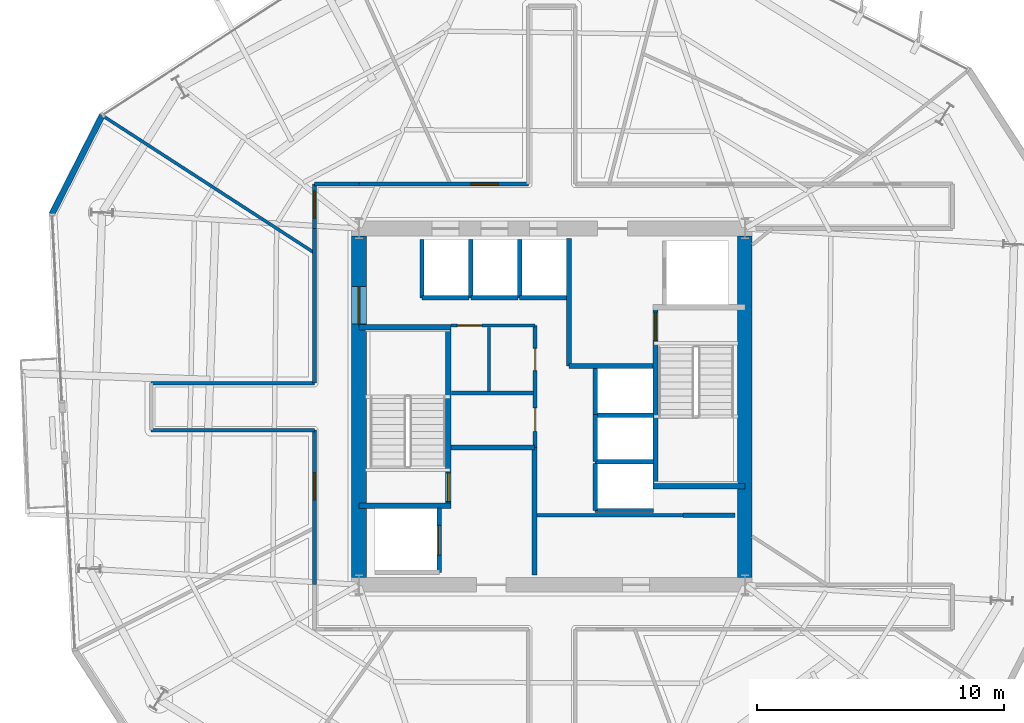
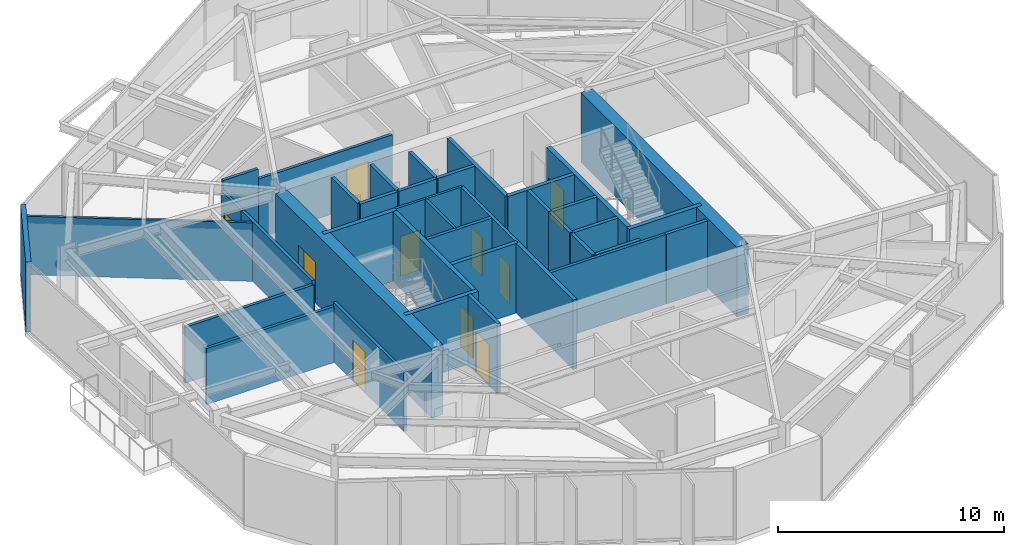
# One storey, part 7 of 12: 39 walls, 10 doors, 10 openings.
"""IFC4 building model written with IfcOpenShell, lengths in metres."""

import ifcopenshell
import ifcopenshell.guid

model = None  # the IFC model being written
_history = None  # IfcOwnerHistory: only IFC2X3 demands one
_inside = {}  # id of a spatial element -> (the spatial element, [elements in it])
_under = {}  # id of a project, library or spatial element -> (it, [spatial elements below it])
_declared = {}  # id of a project -> (the project, [libraries it declares])
_typed = {}  # id of a type object -> (the type object, [elements of that type])
_made_of = {}  # id of a material, layer set ... -> (it, [elements and type objects made of it])


def new_model(schema):
    """Start an empty IFC model of exactly this schema.

    Asked for "IFC4X3", IfcOpenShell would pick the latest addendum, in which some entities
    have other attributes; the version numbers below select the first issue.
    IFC2X3 requires an IfcOwnerHistory on every rooted entity: one is made here for all.
    """
    global model, _history
    if schema == "IFC4X3":
        model = ifcopenshell.file(schema_version=(4, 3, 0, 0))
    else:
        model = ifcopenshell.file(schema=schema)
    _inside.clear()
    _under.clear()
    _declared.clear()
    _typed.clear()
    _made_of.clear()
    _history = None
    if model.schema == "IFC2X3":
        org = make("IfcOrganization", Name="unknown")
        user = make(
            "IfcPersonAndOrganization",
            ThePerson=make("IfcPerson", FamilyName="unknown"),
            TheOrganization=org,
        )
        app = make(
            "IfcApplication",
            ApplicationDeveloper=org,
            Version="unknown",
            ApplicationFullName="unknown",
            ApplicationIdentifier="unknown",
        )
        _history = make(
            "IfcOwnerHistory",
            OwningUser=user,
            OwningApplication=app,
            ChangeAction="ADDED",
            CreationDate=0,
        )
    return model


def make(cls, **values):
    """One entity of the class cls with the attributes given. An attribute that is None is left unset."""
    return model.create_entity(
        cls, **{name: value for name, value in values.items() if value is not None}
    )


def rooted(cls, **values):
    """An entity with a GlobalId (a new one), such as an element, a storey or a relation."""
    return make(cls, GlobalId=ifcopenshell.guid.new(), OwnerHistory=_history, **values)


def si_unit(unit_type, name, prefix=None):
    """IfcSIUnit, for example si_unit("LENGTHUNIT", "METRE", prefix="MILLI")."""
    return make("IfcSIUnit", UnitType=unit_type, Prefix=prefix, Name=name)


def assignment(units):
    """IfcUnitAssignment: the units of a project."""
    return None if units is None else make("IfcUnitAssignment", Units=units)


def point(xyz):
    """IfcCartesianPoint."""
    return None if xyz is None else make("IfcCartesianPoint", Coordinates=xyz)


def direction(xyz):
    """IfcDirection."""
    return None if xyz is None else make("IfcDirection", DirectionRatios=xyz)


def frame(location, z_axis=None, x_axis=None):
    """IfcAxis2Placement3D, a coordinate frame: its origin and axes. An axis left out is left unset."""
    return make(
        "IfcAxis2Placement3D",
        Location=point(location),
        Axis=direction(z_axis),
        RefDirection=direction(x_axis),
    )


def frame_2d(location, x_axis=None):
    """IfcAxis2Placement2D, a coordinate frame in the plane: its origin and x axis."""
    return make(
        "IfcAxis2Placement2D", Location=point(location), RefDirection=direction(x_axis)
    )


def origin():
    """The frame at (0, 0, 0) with its axes left unset."""
    return frame((0.0, 0.0, 0.0))


def place(relative_to, where):
    """IfcLocalPlacement: puts the frame where relative to a parent placement (None: the world)."""
    return make(
        "IfcLocalPlacement", PlacementRelTo=relative_to, RelativePlacement=where
    )


def context(
    kind, dimensions, precision=None, world=None, true_north=None, identifier=None
):
    """IfcGeometricRepresentationContext, for example the 3D "Model" context."""
    return make(
        "IfcGeometricRepresentationContext",
        ContextIdentifier=identifier,
        ContextType=kind,
        CoordinateSpaceDimension=dimensions,
        Precision=precision,
        WorldCoordinateSystem=world,
        TrueNorth=true_north,
    )


def subcontext(parent, identifier, kind, view, scale=None):
    """IfcGeometricRepresentationSubContext, for example "Body" below "Model"."""
    return make(
        "IfcGeometricRepresentationSubContext",
        ContextIdentifier=identifier,
        ContextType=kind,
        ParentContext=parent,
        TargetScale=scale,
        TargetView=view,
    )


def project(units=None, contexts=None):
    """IfcProject with its units and contexts."""
    return rooted(
        "IfcProject",
        Name="project",
        RepresentationContexts=contexts,
        UnitsInContext=assignment(units),
    )


def spatial(cls, under=None, at=None, **own):
    """A site, building, storey or space (cls), placed at a placement, below another one or the project."""
    s = rooted(cls, ObjectPlacement=at, **own)
    if under is not None:
        _under.setdefault(under.id(), (under, []))[1].append(s)
    return s


def profile(cls, at=None, kind="AREA", **sizes):
    """A parametric profile (cls). Its sizes go by their IFC names, for example OverallWidth=200.0."""
    return make(cls, ProfileType=kind, Position=at, **sizes)


def rectangle(**sizes):
    """IfcRectangleProfileDef."""
    return profile("IfcRectangleProfileDef", **sizes)


def extrude(swept, where, along, depth):
    """IfcExtrudedAreaSolid: the profile swept, set in the frame where, extruded along a direction by depth."""
    return make(
        "IfcExtrudedAreaSolid",
        SweptArea=swept,
        Position=where,
        ExtrudedDirection=direction(along),
        Depth=depth,
    )


def shape(context_of_items, identifier, shape_type, items):
    """IfcShapeRepresentation: the items that make up one representation, for example the "Body"."""
    return make(
        "IfcShapeRepresentation",
        ContextOfItems=context_of_items,
        RepresentationIdentifier=identifier,
        RepresentationType=shape_type,
        Items=items,
    )


def material(Name=None, Category=None):
    """IfcMaterial."""
    return make("IfcMaterial", Name=Name, Category=Category)


def layer(
    of_material, thickness, ventilated=None, Name=None, Category=None, Priority=None
):
    """IfcMaterialLayer: one layer of a wall or slab, of a material (None: an air gap)."""
    return make(
        "IfcMaterialLayer",
        Material=of_material,
        LayerThickness=thickness,
        IsVentilated=ventilated,
        Name=Name,
        Category=Category,
        Priority=Priority,
    )


def layer_set(layers, Name=None):
    """IfcMaterialLayerSet."""
    return make("IfcMaterialLayerSet", MaterialLayers=layers, LayerSetName=Name)


def made_of(thing, what):
    """Note that an element or type object is made of a material, layer set ...; save() writes the relation."""
    if what is not None:
        _made_of.setdefault(what.id(), (what, []))[1].append(thing)
    return thing


def type_object(cls, material=None, **own):
    """A type object (cls), such as IfcWallType, which elements share."""
    return made_of(rooted(cls, **own), material)


def element(
    cls,
    number,
    at=None,
    inside=None,
    cuts=None,
    type_object=None,
    material=None,
    context=None,
    identifier="Body",
    shape_type=None,
    held_by="IfcProductDefinitionShape",
    body=None,
    shapes=None,
    **own,
):
    """One element of the class cls, such as IfcWall. Its Tag is "e" and its number.

    at: its placement. inside: the storey or other place that contains it. cuts: it is an
    opening in that element (IfcRelVoidsElement). A single representation is given by context,
    identifier, shape_type and body (its items); several are given by shapes. held_by: the class
    of the entity that holds the representations. save() writes the other relations.
    """
    e = rooted(cls, Tag="e%d" % number, ObjectPlacement=at, **own)
    if body is not None:
        shapes = [shape(context, identifier, shape_type, body)]
    if shapes is not None:
        e.Representation = make(held_by, Representations=shapes)
    if inside is not None:
        _inside.setdefault(inside.id(), (inside, []))[1].append(e)
    if cuts is not None:
        rooted(
            "IfcRelVoidsElement", RelatingBuildingElement=cuts, RelatedOpeningElement=e
        )
    if type_object is not None:
        _typed.setdefault(type_object.id(), (type_object, []))[1].append(e)
    return made_of(e, material)


def fill(opening, filler):
    """IfcRelFillsElement: the door or window that sits in an opening."""
    return rooted(
        "IfcRelFillsElement",
        RelatingOpeningElement=opening,
        RelatedBuildingElement=filler,
    )


def aggregate(whole, parts):
    """IfcRelAggregates: a whole, such as a stair, and the parts it consists of."""
    return rooted("IfcRelAggregates", RelatingObject=whole, RelatedObjects=parts)


def save(model, path):
    """Write the relations noted so far, then the file.

    IfcRelAggregates (storeys below a building ...), IfcRelContainedInSpatialStructure (elements
    in a storey), IfcRelDefinesByType, IfcRelAssociatesMaterial and IfcRelDeclares: one each for
    every whole, place, type object, material and project.
    """
    for whole, parts in _under.values():
        aggregate(whole, parts)
    for where, things in _inside.values():
        rooted(
            "IfcRelContainedInSpatialStructure",
            RelatedElements=things,
            RelatingStructure=where,
        )
    for kind, things in _typed.values():
        rooted("IfcRelDefinesByType", RelatedObjects=things, RelatingType=kind)
    for what, things in _made_of.values():
        rooted("IfcRelAssociatesMaterial", RelatedObjects=things, RelatingMaterial=what)
    for by, libraries in _declared.values():
        rooted("IfcRelDeclares", RelatingContext=by, RelatedDefinitions=libraries)
    model.write(path)


model = new_model("IFC4")

# Units and contexts
model_context = context("Model", 3, precision=1e-05, world=origin(), true_north=direction((0.0, 1.0)))
body_context = subcontext(model_context, "Body", "Model", "MODEL_VIEW")
ifc_project = project(units=[si_unit("LENGTHUNIT", "METRE"), si_unit("AREAUNIT", "SQUARE_METRE"), si_unit("VOLUMEUNIT", "CUBIC_METRE"), si_unit("PLANEANGLEUNIT", "RADIAN"), si_unit("MASSUNIT", "GRAM", prefix="KILO")], contexts=[model_context])

# Site, building, storey
site_placement = place(None, origin())
site = spatial("IfcSite", under=ifc_project, at=site_placement, CompositionType="ELEMENT")
building_placement = place(site_placement, origin())
building = spatial("IfcBuilding", under=site, at=building_placement, Name="Kranzbogen Civic Tower", CompositionType="ELEMENT")
storey_placement = place(building_placement, frame((0.0, 0.0, 154.39990234375)))
storey = spatial("IfcBuildingStorey", under=building, at=storey_placement, Name="L37", CompositionType="ELEMENT", Elevation=154.39990234375)

# Wall
ifc_material_1 = material(Name="Double-Stud Acoustic Gypsum Partition")
ifc_layer_1 = layer(ifc_material_1, 0.14990234375, Name="Double-Stud Acoustic Gypsum Partition")
ifc_layer_set_1 = layer_set([ifc_layer_1], Name="Double-Stud Acoustic Gypsum Partition")
wall_type_1 = type_object("IfcWallType", Name="Acoustic Corridor and Clinical Partition 150 mm", PredefinedType="PARTITIONING", material=ifc_layer_set_1)
wall_1_placement = place(storey_placement, frame((24.39990234375, 20.610107421875, 0.0), z_axis=(0.0, 0.0, 1.0), x_axis=(1.0, 0.0, 0.0)))
element("IfcWall", 1, at=wall_1_placement, inside=storey, type_object=wall_type_1, Name="L37 records zone North wall", PredefinedType="PARTITIONING", context=body_context, shape_type="SweptSolid", body=[
    extrude(rectangle(XDim=5.900146484375, YDim=0.14990234375, at=frame_2d((2.9501953125, 0.0))), origin(), (0.0, 0.0, 1.0), 3.760009765625),
])

# Wall, opening, door
wall_2_placement = place(storey_placement, frame((15.39990234375, 17.800048828125, 0.0), z_axis=(0.0, 0.0, 1.0), x_axis=(0.0, 1.0, 0.0)))
wall_2 = element("IfcWall", 2, at=wall_2_placement, inside=storey, type_object=wall_type_1, Name="L37 corridor partition 03", PredefinedType="PARTITIONING", context=body_context, shape_type="SweptSolid", body=[
    extrude(rectangle(XDim=6.25, YDim=0.14990234375, at=frame_2d((3.125, 0.0))), origin(), (0.0, 0.0, 1.0), 3.210205078125),
])
opening_1_placement = place(wall_2_placement, frame((3.43408203125, 0.0, 0.0)))
opening_1 = element("IfcOpeningElement", 3, at=opening_1_placement, cuts=wall_2, Name="Opening D-COR60", PredefinedType="OPENING", context=body_context, shape_type="SweptSolid", body=[
    extrude(rectangle(XDim=1.10009765625, YDim=2.199951171875, at=frame_2d((0.550048828125, 1.10009765625))), frame((0.0, 0.0849609375, 0.0), z_axis=(0.0, -1.0, 0.0), x_axis=(1.0, 0.0, 0.0)), (0.0, 0.0, 1.0), 0.169921875),
])
ifc_material_2 = material(Name="Oak Timber and Fire Core", Category="wood")
door_type_1 = type_object("IfcDoorType", Name="Corridor Acoustic Fire Door 1100x2200", OperationType="NOTDEFINED", PredefinedType="DOOR", material=ifc_material_2)
door_1_placement = place(opening_1_placement, origin())
door_1 = element("IfcDoor", 4, at=door_1_placement, inside=storey, type_object=door_type_1, Name="L37 Staff Tea Pantry door", OperationType="SINGLE_SWING_RIGHT", OverallHeight=2.199951171875, OverallWidth=1.10009765625, PredefinedType="DOOR", context=body_context, shape_type="SweptSolid", body=[
    extrude(rectangle(XDim=1.10009765625, YDim=2.199951171875, at=frame_2d((0.550048828125, 1.10009765625))), frame((0.0, 0.02490234375, 0.0), z_axis=(0.0, -1.0, 0.0), x_axis=(1.0, 0.0, 0.0)), (0.0, 0.0, 1.0), 0.050048828125),
])
fill(opening_1, door_1)

# Walls
for number, where, z_axis, x_axis, name in (
    (5, (15.39990234375, 24.050048828125, 0.0), (0.0, 0.0, 1.0), (-1.0, 0.0, 0.0), "L37 corridor partition 04"),
    (6, (8.800048828125, 25.949951171875, 0.0), (0.0, 0.0, 1.0), (1.0, 0.0, 0.0), "L37 corridor partition 06"),
):
    element("IfcWall", number, at=place(storey_placement, frame(where, z_axis=z_axis, x_axis=x_axis)), inside=storey, type_object=wall_type_1, Name=name, PredefinedType="PARTITIONING", context=body_context, shape_type="SweptSolid", body=[
        extrude(rectangle(XDim=6.599853515625, YDim=0.14990234375, at=frame_2d((3.2998046875, 0.0))), origin(), (0.0, 0.0, 1.0), 3.02001953125),
    ])
wall_3_placement = place(storey_placement, frame((15.39990234375, 25.949951171875, 0.0), z_axis=(0.0, 0.0, 1.0), x_axis=(0.0, 1.0, 0.0)))
element("IfcWall", 7, at=wall_3_placement, inside=storey, type_object=wall_type_1, Name="L37 corridor partition 07", PredefinedType="PARTITIONING", context=body_context, shape_type="SweptSolid", body=[
    extrude(rectangle(XDim=6.25, YDim=0.14990234375, at=frame_2d((3.125, 0.0))), origin(), (0.0, 0.0, 1.0), 3.210205078125),
])

# Wall, opening, door
wall_4_placement = place(storey_placement, frame((15.39990234375, 32.199951171875, 0.0), z_axis=(0.0, 0.0, 1.0), x_axis=(0.0, 1.0, 0.0)))
wall_4 = element("IfcWall", 8, at=wall_4_placement, inside=storey, type_object=wall_type_1, Name="L37 corridor partition 08", PredefinedType="PARTITIONING", context=body_context, shape_type="SweptSolid", body=[
    extrude(rectangle(XDim=1.800048828125, YDim=0.14990234375, at=frame_2d((0.89990234375, 0.0))), origin(), (0.0, 0.0, 1.0), 3.210205078125),
])
opening_2_placement = place(wall_4_placement, frame((0.4130859375, 0.0, 0.0)))
opening_2 = element("IfcOpeningElement", 9, at=opening_2_placement, cuts=wall_4, Name="Opening D-COR60", PredefinedType="OPENING", context=body_context, shape_type="SweptSolid", body=[
    extrude(rectangle(XDim=1.10009765625, YDim=2.199951171875, at=frame_2d((0.550048828125, 1.10009765625))), frame((0.0, 0.0849609375, 0.0), z_axis=(0.0, -1.0, 0.0), x_axis=(1.0, 0.0, 0.0)), (0.0, 0.0, 1.0), 0.169921875),
])
door_2_placement = place(opening_2_placement, origin())
door_2 = element("IfcDoor", 10, at=door_2_placement, inside=storey, type_object=door_type_1, Name="L37 Delegates Sitting Lounge door", OperationType="SINGLE_SWING_LEFT", OverallHeight=2.199951171875, OverallWidth=1.10009765625, PredefinedType="DOOR", context=body_context, shape_type="SweptSolid", body=[
    extrude(rectangle(XDim=1.10009765625, YDim=2.199951171875, at=frame_2d((0.550048828125, 1.10009765625))), frame((0.0, 0.02490234375, 0.0), z_axis=(0.0, -1.0, 0.0), x_axis=(1.0, 0.0, 0.0)), (0.0, 0.0, 1.0), 0.050048828125),
])
fill(opening_2, door_2)

# Wall
wall_5_placement = place(storey_placement, frame((15.39990234375, 34.0, 0.0), z_axis=(0.0, 0.0, 1.0), x_axis=(1.0, 0.0, 0.0)))
element("IfcWall", 11, at=wall_5_placement, inside=storey, type_object=wall_type_1, Name="L37 corridor partition 09", PredefinedType="PARTITIONING", context=body_context, shape_type="SweptSolid", body=[
    extrude(rectangle(XDim=1.800048828125, YDim=0.14990234375, at=frame_2d((0.89990234375, 0.0))), origin(), (0.0, 0.0, 1.0), 3.760009765625),
])

# Wall, opening, door
wall_6_placement = place(storey_placement, frame((17.199951171875, 34.0, 0.0), z_axis=(0.0, 0.0, 1.0), x_axis=(1.0, 0.0, 0.0)))
wall_6 = element("IfcWall", 12, at=wall_6_placement, inside=storey, type_object=wall_type_1, Name="L37 corridor partition 10", PredefinedType="PARTITIONING", context=body_context, shape_type="SweptSolid", body=[
    extrude(rectangle(XDim=6.85009765625, YDim=0.14990234375, at=frame_2d((3.425048828125, 0.0))), origin(), (0.0, 0.0, 1.0), 3.210205078125),
])
opening_3_placement = place(wall_6_placement, frame((4.52490234375, 0.0, 0.0)))
opening_3 = element("IfcOpeningElement", 13, at=opening_3_placement, cuts=wall_6, Name="Opening D-COR60", PredefinedType="OPENING", context=body_context, shape_type="SweptSolid", body=[
    extrude(rectangle(XDim=1.10009765625, YDim=2.199951171875, at=frame_2d((0.550048828125, 1.10009765625))), frame((0.0, 0.0849609375, 0.0), z_axis=(0.0, -1.0, 0.0), x_axis=(1.0, 0.0, 0.0)), (0.0, 0.0, 1.0), 0.169921875),
])
door_3_placement = place(opening_3_placement, origin())
door_3 = element("IfcDoor", 14, at=door_3_placement, inside=storey, type_object=door_type_1, Name="L37 Civic Reference Library door", OperationType="SINGLE_SWING_RIGHT", OverallHeight=2.199951171875, OverallWidth=1.10009765625, PredefinedType="DOOR", context=body_context, shape_type="SweptSolid", body=[
    extrude(rectangle(XDim=1.10009765625, YDim=2.199951171875, at=frame_2d((0.550048828125, 1.10009765625))), frame((0.0, 0.02490234375, 0.0), z_axis=(0.0, -1.0, 0.0), x_axis=(1.0, 0.0, 0.0)), (0.0, 0.0, 1.0), 0.050048828125),
])
fill(opening_3, door_3)

ifc_material_3 = material(Name="Insulated Metal-Stud Gypsum Partition")
ifc_layer_2 = layer(ifc_material_3, 0.125, Name="Insulated Metal-Stud Gypsum Partition")
ifc_layer_set_2 = layer_set([ifc_layer_2], Name="Insulated Metal-Stud Gypsum Partition")
wall_type_2 = type_object("IfcWallType", Name="Acoustic Inter-Room Partition 125 mm", PredefinedType="PARTITIONING", material=ifc_layer_set_2)
wall_7_placement = place(storey_placement, frame((20.919921875, 28.280029296875, 0.0), z_axis=(0.0, 0.0, 1.0), x_axis=(1.0, 0.0, 0.0)))
wall_7 = element("IfcWall", 15, at=wall_7_placement, inside=storey, type_object=wall_type_2, Name="L37 core auxiliary North wall", PredefinedType="PARTITIONING", context=body_context, shape_type="SweptSolid", body=[
    extrude(rectangle(XDim=3.405029296875, YDim=0.125, at=frame_2d((1.70263671875, 0.0))), origin(), (0.0, 0.0, 1.0), 3.760009765625),
])
opening_4_placement = place(wall_7_placement, frame((0.2548828125, 0.0, 0.0)))
opening_4 = element("IfcOpeningElement", 16, at=opening_4_placement, cuts=wall_7, Name="Opening D-RSR10", PredefinedType="OPENING", context=body_context, shape_type="SweptSolid", body=[
    extrude(rectangle(XDim=1.0, YDim=2.14990234375, at=frame_2d((0.5, 1.074951171875))), frame((0.0, 0.072509765625, 0.0), z_axis=(0.0, -1.0, 0.0), x_axis=(1.0, 0.0, 0.0)), (0.0, 0.0, 1.0), 0.14501953125),
])
door_type_2 = type_object("IfcDoorType", Name="Core Archive and Riser Fire Door 1000x2150", OperationType="NOTDEFINED", PredefinedType="DOOR", material=ifc_material_2)
door_4_placement = place(opening_4_placement, origin())
door_4 = element("IfcDoor", 17, at=door_4_placement, inside=storey, type_object=door_type_2, Name="L37 Telecom and Riser Room door", OperationType="SINGLE_SWING_LEFT", OverallHeight=2.14990234375, OverallWidth=1.0, PredefinedType="DOOR", context=body_context, shape_type="SweptSolid", body=[
    extrude(rectangle(XDim=1.0, YDim=2.14990234375, at=frame_2d((0.5, 1.074951171875))), frame((0.0, 0.02490234375, 0.0), z_axis=(0.0, -1.0, 0.0), x_axis=(1.0, 0.0, 0.0)), (0.0, 0.0, 1.0), 0.050048828125),
])
fill(opening_4, door_4)

# Walls
wall_8_placement = place(storey_placement, frame((22.4599609375, 25.6201171875, 0.0), z_axis=(0.0, 0.0, 1.0), x_axis=(0.0, 1.0, 0.0)))
element("IfcWall", 18, at=wall_8_placement, inside=storey, type_object=wall_type_2, Name="L37 core auxiliary partition 2", PredefinedType="PARTITIONING", context=body_context, shape_type="SweptSolid", body=[
    extrude(rectangle(XDim=2.579833984375, YDim=0.125, at=frame_2d((1.2900390625, 0.0))), origin(), (0.0, 0.0, 1.0), 3.760009765625),
])
wall_9_placement = place(storey_placement, frame((15.39990234375, 31.217041015625, 0.0), z_axis=(0.0, 0.0, 1.0), x_axis=(-0.839399301713, 0.543515236478, 0.0)))
element("IfcWall", 19, at=wall_9_placement, inside=storey, type_object=wall_type_2, Name="L37 radial room partition 05", PredefinedType="PARTITIONING", context=body_context, shape_type="SweptSolid", body=[
    extrude(rectangle(XDim=10.2001953125, YDim=0.125, at=frame_2d((5.10009765625, 0.0))), origin(), (0.0, 0.0, 1.0), 3.16015625),
])

# Wall, opening, door
ifc_material_4 = material(Name="Concrete C55/67", Category="concrete")
ifc_layer_3 = layer(ifc_material_4, 0.60009765625, Name="Concrete C55/67")
ifc_layer_set_3 = layer_set([ifc_layer_3], Name="Concrete C55/67")
wall_type_3 = type_object("IfcWallType", Name="Central Core Shear Wall 600 mm", PredefinedType="SHEAR", material=ifc_layer_set_3)
wall_10_placement = place(storey_placement, frame((17.199951171875, 31.89990234375, 0.0), z_axis=(0.0, 0.0, 1.0), x_axis=(0.0, -1.0, 0.0)))
wall_10 = element("IfcWall", 20, at=wall_10_placement, inside=storey, type_object=wall_type_3, Name="L37 central core West shear wall", PredefinedType="SHEAR", context=body_context, shape_type="SweptSolid", body=[
    extrude(rectangle(XDim=13.7998046875, YDim=0.60009765625, at=frame_2d((6.89990234375, 0.0))), origin(), (0.0, 0.0, 1.0), 3.760009765625),
])
opening_5_placement = place(wall_10_placement, frame((2.050048828125, 0.0, 0.0)))
opening_5 = element("IfcOpeningElement", 21, at=opening_5_placement, cuts=wall_10, Name="Opening D-DBL15", PredefinedType="OPENING", context=body_context, shape_type="SweptSolid", body=[
    extrude(rectangle(XDim=1.5, YDim=2.199951171875, at=frame_2d((0.75, 1.10009765625))), frame((0.0, 0.31005859375, 0.0), z_axis=(0.0, -1.0, 0.0), x_axis=(1.0, 0.0, 0.0)), (0.0, 0.0, 1.0), 0.6201171875),
])
ifc_material_5 = material(Name="Anodised Bronze and Glass", Category="glass")
door_type_3 = type_object("IfcDoorType", Name="Civic Lobby Double Door 1500x2200", OperationType="DOUBLE_DOOR_SINGLE_SWING", PredefinedType="DOOR", material=ifc_material_5)
door_5_placement = place(opening_5_placement, origin())
door_5 = element("IfcDoor", 22, at=door_5_placement, inside=storey, type_object=door_type_3, Name="L37 Central Lift Lobby West concourse door", OperationType="DOUBLE_DOOR_SINGLE_SWING", OverallHeight=2.199951171875, OverallWidth=1.5, PredefinedType="DOOR", context=body_context, shape_type="SweptSolid", body=[
    extrude(rectangle(XDim=1.5, YDim=2.199951171875, at=frame_2d((0.75, 1.10009765625))), frame((0.0, 0.02490234375, 0.0), z_axis=(0.0, -1.0, 0.0), x_axis=(1.0, 0.0, 0.0)), (0.0, 0.0, 1.0), 0.050048828125),
])
fill(opening_5, door_5)

# Wall
wall_11_placement = place(storey_placement, frame((32.800048828125, 18.10009765625, 0.0), z_axis=(0.0, 0.0, 1.0), x_axis=(0.0, 1.0, 0.0)))
element("IfcWall", 23, at=wall_11_placement, inside=storey, type_object=wall_type_3, Name="L37 central core East shear wall", PredefinedType="SHEAR", context=body_context, shape_type="SweptSolid", body=[
    extrude(rectangle(XDim=13.7998046875, YDim=0.60009765625, at=frame_2d((6.89990234375, 0.0))), origin(), (0.0, 0.0, 1.0), 3.760009765625),
])

# Wall, opening, door
ifc_material_6 = material(Name="Concrete C45/55", Category="concrete")
ifc_layer_4 = layer(ifc_material_6, 0.219970703125, Name="Concrete C45/55")
ifc_layer_set_4 = layer_set([ifc_layer_4], Name="Concrete C45/55")
wall_type_4 = type_object("IfcWallType", Name="Core Internal Stair Structural Wall 220 mm", PredefinedType="SOLIDWALL", material=ifc_layer_set_4)
wall_12_placement = place(storey_placement, frame((20.81005859375, 20.989990234375, 0.0), z_axis=(0.0, 0.0, 1.0), x_axis=(0.0, 1.0, 0.0)))
wall_12 = element("IfcWall", 24, at=wall_12_placement, inside=storey, type_object=wall_type_4, Name="L37 ST-T1 East structural stair wall", PredefinedType="SOLIDWALL", context=body_context, shape_type="SweptSolid", body=[
    extrude(rectangle(XDim=7.219970703125, YDim=0.219970703125, at=frame_2d((3.60986328125, 0.0))), origin(), (0.0, 0.0, 1.0), 3.760009765625),
])
opening_6_placement = place(wall_12_placement, frame((0.179931640625, 0.0, 0.0)))
opening_6 = element("IfcOpeningElement", 25, at=opening_6_placement, cuts=wall_12, Name="Opening D-ST90", PredefinedType="OPENING", context=body_context, shape_type="SweptSolid", body=[
    extrude(rectangle(XDim=1.14990234375, YDim=2.199951171875, at=frame_2d((0.574951171875, 1.10009765625))), frame((0.0, 0.1201171875, 0.0), z_axis=(0.0, -1.0, 0.0), x_axis=(1.0, 0.0, 0.0)), (0.0, 0.0, 1.0), 0.239990234375),
])
ifc_material_7 = material(Name="Steel S355", Category="steel")
door_type_4 = type_object("IfcDoorType", Name="Pressurized Stair and Lobby Fire Door 1150x2200", OperationType="NOTDEFINED", PredefinedType="DOOR", material=ifc_material_7)
door_6_placement = place(opening_6_placement, origin())
door_6 = element("IfcDoor", 26, at=door_6_placement, inside=storey, type_object=door_type_4, Name="L37 Stair ST-T1 fire door", OperationType="SINGLE_SWING_RIGHT", OverallHeight=2.199951171875, OverallWidth=1.14990234375, PredefinedType="DOOR", context=body_context, shape_type="SweptSolid", body=[
    extrude(rectangle(XDim=1.14990234375, YDim=2.199951171875, at=frame_2d((0.574951171875, 1.10009765625))), frame((0.0, 0.02490234375, 0.0), z_axis=(0.0, -1.0, 0.0), x_axis=(1.0, 0.0, 0.0)), (0.0, 0.0, 1.0), 0.050048828125),
])
fill(opening_6, door_6)

# Walls
for number, where, z_axis, x_axis, name in (
    (27, (17.199951171875, 20.989990234375, 0.0), (0.0, 0.0, 1.0), (1.0, 0.0, 0.0), "L37 ST-T1 South structural stair wall"),
    (28, (17.199951171875, 28.2099609375, 0.0), (0.0, 0.0, 1.0), (1.0, 0.0, 0.0), "L37 ST-T1 North structural stair wall"),
):
    element("IfcWall", number, at=place(storey_placement, frame(where, z_axis=z_axis, x_axis=x_axis)), inside=storey, type_object=wall_type_4, Name=name, PredefinedType="SOLIDWALL", context=body_context, shape_type="SweptSolid", body=[
        extrude(rectangle(XDim=3.719970703125, YDim=0.219970703125, at=frame_2d((1.85986328125, 0.0))), origin(), (0.0, 0.0, 1.0), 3.760009765625),
    ])

# Wall, opening, door
wall_13_placement = place(storey_placement, frame((29.18994140625, 21.7900390625, 0.0), z_axis=(0.0, 0.0, 1.0), x_axis=(0.0, 1.0, 0.0)))
wall_13 = element("IfcWall", 29, at=wall_13_placement, inside=storey, type_object=wall_type_4, Name="L37 ST-T2 West structural stair wall", PredefinedType="SOLIDWALL", context=body_context, shape_type="SweptSolid", body=[
    extrude(rectangle(XDim=7.219970703125, YDim=0.219970703125, at=frame_2d((3.60986328125, 0.0))), origin(), (0.0, 0.0, 1.0), 3.760009765625),
])
opening_7_placement = place(wall_13_placement, frame((5.8798828125, 0.0, 0.0)))
opening_7 = element("IfcOpeningElement", 30, at=opening_7_placement, cuts=wall_13, Name="Opening D-ST90", PredefinedType="OPENING", context=body_context, shape_type="SweptSolid", body=[
    extrude(rectangle(XDim=1.14990234375, YDim=2.199951171875, at=frame_2d((0.574951171875, 1.10009765625))), frame((0.0, 0.1201171875, 0.0), z_axis=(0.0, -1.0, 0.0), x_axis=(1.0, 0.0, 0.0)), (0.0, 0.0, 1.0), 0.239990234375),
])
door_7_placement = place(opening_7_placement, origin())
door_7 = element("IfcDoor", 31, at=door_7_placement, inside=storey, type_object=door_type_4, Name="L37 Stair ST-T2 fire door", OperationType="SINGLE_SWING_LEFT", OverallHeight=2.199951171875, OverallWidth=1.14990234375, PredefinedType="DOOR", context=body_context, shape_type="SweptSolid", body=[
    extrude(rectangle(XDim=1.14990234375, YDim=2.199951171875, at=frame_2d((0.574951171875, 1.10009765625))), frame((0.0, 0.02490234375, 0.0), z_axis=(0.0, -1.0, 0.0), x_axis=(1.0, 0.0, 0.0)), (0.0, 0.0, 1.0), 0.050048828125),
])
fill(opening_7, door_7)

# Walls
wall_14_placement = place(storey_placement, frame((29.080078125, 21.7900390625, 0.0), z_axis=(0.0, 0.0, 1.0), x_axis=(1.0, 0.0, 0.0)))
element("IfcWall", 32, at=wall_14_placement, inside=storey, type_object=wall_type_4, Name="L37 ST-T2 South structural stair wall", PredefinedType="SOLIDWALL", context=body_context, shape_type="SweptSolid", body=[
    extrude(rectangle(XDim=3.719970703125, YDim=0.219970703125, at=frame_2d((1.85986328125, 0.0))), origin(), (0.0, 0.0, 1.0), 3.760009765625),
])
ifc_material_8 = material(Name="Gypsum Fireboard and Concrete Block", Category="concrete")
ifc_layer_5 = layer(ifc_material_8, 0.199951171875, Name="Gypsum Fireboard and Concrete Block")
ifc_layer_set_5 = layer_set([ifc_layer_5], Name="Gypsum Fireboard and Concrete Block")
wall_type_5 = type_object("IfcWallType", Name="Fire-Rated Exit Passageway and Stair Wall 200 mm", PredefinedType="PARTITIONING", material=ifc_layer_set_5)
wall_15_placement = place(storey_placement, frame((24.300048828125, 18.199951171875, 0.0), z_axis=(0.0, 0.0, 1.0), x_axis=(0.0, 1.0, 0.0)))
element("IfcWall", 33, at=wall_15_placement, inside=storey, type_object=wall_type_5, Name="L37 West firefighting lobby East wall", PredefinedType="PARTITIONING", context=body_context, shape_type="SweptSolid", body=[
    extrude(rectangle(XDim=5.150146484375, YDim=0.199951171875, at=frame_2d((2.5751953125, 0.0))), origin(), (0.0, 0.0, 1.0), 3.760009765625),
])
wall_16_placement = place(storey_placement, frame((20.919921875, 23.35009765625, 0.0), z_axis=(0.0, 0.0, 1.0), x_axis=(1.0, 0.0, 0.0)))
element("IfcWall", 34, at=wall_16_placement, inside=storey, type_object=wall_type_5, Name="L37 West firefighting lobby North wall", PredefinedType="PARTITIONING", context=body_context, shape_type="SweptSolid", body=[
    extrude(rectangle(XDim=3.380126953125, YDim=0.199951171875, at=frame_2d((1.68994140625, 0.0))), origin(), (0.0, 0.0, 1.0), 3.760009765625),
])
wall_17_placement = place(storey_placement, frame((25.699951171875, 26.64990234375, 0.0), z_axis=(0.0, 0.0, 1.0), x_axis=(0.0, 1.0, 0.0)))
element("IfcWall", 35, at=wall_17_placement, inside=storey, type_object=wall_type_5, Name="L37 East firefighting lobby West wall", PredefinedType="PARTITIONING", context=body_context, shape_type="SweptSolid", body=[
    extrude(rectangle(XDim=5.150146484375, YDim=0.199951171875, at=frame_2d((2.5751953125, 0.0))), origin(), (0.0, 0.0, 1.0), 3.760009765625),
])
wall_18_placement = place(storey_placement, frame((25.699951171875, 26.64990234375, 0.0), z_axis=(0.0, 0.0, 1.0), x_axis=(1.0, 0.0, 0.0)))
element("IfcWall", 36, at=wall_18_placement, inside=storey, type_object=wall_type_5, Name="L37 East firefighting lobby South wall", PredefinedType="PARTITIONING", context=body_context, shape_type="SweptSolid", body=[
    extrude(rectangle(XDim=3.380126953125, YDim=0.199951171875, at=frame_2d((1.68994140625, 0.0))), origin(), (0.0, 0.0, 1.0), 3.760009765625),
])
ifc_material_9 = material(Name="Gypsum Fireboard Shaftliner")
ifc_layer_6 = layer(ifc_material_9, 0.175048828125, Name="Gypsum Fireboard Shaftliner")
ifc_layer_set_6 = layer_set([ifc_layer_6], Name="Gypsum Fireboard Shaftliner")
wall_type_6 = type_object("IfcWallType", Name="Fire-Rated Lift and Service Shaft Wall 175 mm", PredefinedType="PARTITIONING", material=ifc_layer_set_6)
wall_19_placement = place(storey_placement, frame((30.300048828125, 20.610107421875, 0.0), z_axis=(0.0, 0.0, 1.0), x_axis=(1.0, 0.0, 0.0)))
element("IfcWall", 37, at=wall_19_placement, inside=storey, type_object=wall_type_6, Name="L37 merged archive North wall", PredefinedType="PARTITIONING", context=body_context, shape_type="SweptSolid", body=[
    extrude(rectangle(XDim=2.099853515625, YDim=0.175048828125, at=frame_2d((1.0498046875, 0.0))), origin(), (0.0, 0.0, 1.0), 3.760009765625),
])
wall_20_placement = place(storey_placement, frame((19.75, 29.39990234375, 0.0), z_axis=(0.0, 0.0, 1.0), x_axis=(1.0, 0.0, 0.0)))
element("IfcWall", 38, at=wall_20_placement, inside=storey, type_object=wall_type_6, Name="L37 lift MP-01 rear wall", PredefinedType="PARTITIONING", context=body_context, shape_type="SweptSolid", body=[
    extrude(rectangle(XDim=1.89990234375, YDim=0.175048828125, at=frame_2d((0.949951171875, 0.0))), origin(), (0.0, 0.0, 1.0), 3.760009765625),
])
wall_21_placement = place(storey_placement, frame((19.75, 29.39990234375, 0.0), z_axis=(0.0, 0.0, 1.0), x_axis=(0.0, 1.0, 0.0)))
element("IfcWall", 39, at=wall_21_placement, inside=storey, type_object=wall_type_6, Name="L37 lift MP-01 side wall", PredefinedType="PARTITIONING", context=body_context, shape_type="SweptSolid", body=[
    extrude(rectangle(XDim=2.35009765625, YDim=0.175048828125, at=frame_2d((1.175048828125, 0.0))), origin(), (0.0, 0.0, 1.0), 3.760009765625),
])
wall_22_placement = place(storey_placement, frame((21.72509765625, 29.39990234375, 0.0), z_axis=(0.0, 0.0, 1.0), x_axis=(1.0, 0.0, 0.0)))
element("IfcWall", 40, at=wall_22_placement, inside=storey, type_object=wall_type_6, Name="L37 lift MP-02 rear wall", PredefinedType="PARTITIONING", context=body_context, shape_type="SweptSolid", body=[
    extrude(rectangle(XDim=1.89990234375, YDim=0.175048828125, at=frame_2d((0.949951171875, 0.0))), origin(), (0.0, 0.0, 1.0), 3.760009765625),
])
wall_23_placement = place(storey_placement, frame((21.72509765625, 29.39990234375, 0.0), z_axis=(0.0, 0.0, 1.0), x_axis=(0.0, 1.0, 0.0)))
element("IfcWall", 41, at=wall_23_placement, inside=storey, type_object=wall_type_6, Name="L37 lift MP-02 side wall", PredefinedType="PARTITIONING", context=body_context, shape_type="SweptSolid", body=[
    extrude(rectangle(XDim=2.35009765625, YDim=0.175048828125, at=frame_2d((1.175048828125, 0.0))), origin(), (0.0, 0.0, 1.0), 3.760009765625),
])
wall_24_placement = place(storey_placement, frame((23.699951171875, 29.39990234375, 0.0), z_axis=(0.0, 0.0, 1.0), x_axis=(1.0, 0.0, 0.0)))
element("IfcWall", 42, at=wall_24_placement, inside=storey, type_object=wall_type_6, Name="L37 lift MP-03 rear wall", PredefinedType="PARTITIONING", context=body_context, shape_type="SweptSolid", body=[
    extrude(rectangle(XDim=1.900146484375, YDim=0.175048828125, at=frame_2d((0.9501953125, 0.0))), origin(), (0.0, 0.0, 1.0), 3.760009765625),
])
wall_25_placement = place(storey_placement, frame((23.699951171875, 29.39990234375, 0.0), z_axis=(0.0, 0.0, 1.0), x_axis=(0.0, 1.0, 0.0)))
element("IfcWall", 43, at=wall_25_placement, inside=storey, type_object=wall_type_6, Name="L37 lift MP-03 side wall", PredefinedType="PARTITIONING", context=body_context, shape_type="SweptSolid", body=[
    extrude(rectangle(XDim=2.35009765625, YDim=0.175048828125, at=frame_2d((1.175048828125, 0.0))), origin(), (0.0, 0.0, 1.0), 3.760009765625),
])
wall_26_placement = place(storey_placement, frame((26.75, 20.800048828125, 0.0), z_axis=(0.0, 0.0, 1.0), x_axis=(0.0, 1.0, 0.0)))
element("IfcWall", 44, at=wall_26_placement, inside=storey, type_object=wall_type_6, Name="L37 lift HP-01 landing wall", PredefinedType="PARTITIONING", context=body_context, shape_type="SweptSolid", body=[
    extrude(rectangle(XDim=1.89990234375, YDim=0.175048828125, at=frame_2d((0.949951171875, 0.0))), origin(), (0.0, 0.0, 1.0), 3.760009765625),
])
wall_27_placement = place(storey_placement, frame((26.75, 20.800048828125, 0.0), z_axis=(0.0, 0.0, 1.0), x_axis=(1.0, 0.0, 0.0)))
element("IfcWall", 45, at=wall_27_placement, inside=storey, type_object=wall_type_6, Name="L37 lift HP-01 side wall", PredefinedType="PARTITIONING", context=body_context, shape_type="SweptSolid", body=[
    extrude(rectangle(XDim=2.35009765625, YDim=0.175048828125, at=frame_2d((1.175048828125, 0.0))), origin(), (0.0, 0.0, 1.0), 3.760009765625),
])
wall_28_placement = place(storey_placement, frame((26.75, 22.77490234375, 0.0), z_axis=(0.0, 0.0, 1.0), x_axis=(0.0, 1.0, 0.0)))
element("IfcWall", 46, at=wall_28_placement, inside=storey, type_object=wall_type_6, Name="L37 lift HP-02 landing wall", PredefinedType="PARTITIONING", context=body_context, shape_type="SweptSolid", body=[
    extrude(rectangle(XDim=1.900146484375, YDim=0.175048828125, at=frame_2d((0.9501953125, 0.0))), origin(), (0.0, 0.0, 1.0), 3.760009765625),
])
wall_29_placement = place(storey_placement, frame((26.75, 22.77490234375, 0.0), z_axis=(0.0, 0.0, 1.0), x_axis=(1.0, 0.0, 0.0)))
element("IfcWall", 47, at=wall_29_placement, inside=storey, type_object=wall_type_6, Name="L37 lift HP-02 side wall", PredefinedType="PARTITIONING", context=body_context, shape_type="SweptSolid", body=[
    extrude(rectangle(XDim=2.35009765625, YDim=0.175048828125, at=frame_2d((1.175048828125, 0.0))), origin(), (0.0, 0.0, 1.0), 3.760009765625),
])
wall_30_placement = place(storey_placement, frame((26.75, 24.64990234375, 0.0), z_axis=(0.0, 0.0, 1.0), x_axis=(0.0, 1.0, 0.0)))
element("IfcWall", 48, at=wall_30_placement, inside=storey, type_object=wall_type_6, Name="L37 lift HP-03 landing wall", PredefinedType="PARTITIONING", context=body_context, shape_type="SweptSolid", body=[
    extrude(rectangle(XDim=1.900146484375, YDim=0.175048828125, at=frame_2d((0.9501953125, 0.0))), origin(), (0.0, 0.0, 1.0), 3.760009765625),
])
wall_31_placement = place(storey_placement, frame((26.75, 24.64990234375, 0.0), z_axis=(0.0, 0.0, 1.0), x_axis=(1.0, 0.0, 0.0)))
element("IfcWall", 49, at=wall_31_placement, inside=storey, type_object=wall_type_6, Name="L37 lift HP-03 side wall", PredefinedType="PARTITIONING", context=body_context, shape_type="SweptSolid", body=[
    extrude(rectangle(XDim=2.35009765625, YDim=0.175048828125, at=frame_2d((1.175048828125, 0.0))), origin(), (0.0, 0.0, 1.0), 3.760009765625),
])

# Wall, opening, door
wall_32_placement = place(storey_placement, frame((20.449951171875, 18.300048828125, 0.0), z_axis=(0.0, 0.0, 1.0), x_axis=(0.0, 1.0, 0.0)))
wall_32 = element("IfcWall", 50, at=wall_32_placement, inside=storey, type_object=wall_type_6, Name="L37 lift FF-01 landing wall", PredefinedType="PARTITIONING", context=body_context, shape_type="SweptSolid", body=[
    extrude(rectangle(XDim=2.599853515625, YDim=0.175048828125, at=frame_2d((1.2998046875, 0.0))), origin(), (0.0, 0.0, 1.0), 3.760009765625),
])
opening_8_placement = place(wall_32_placement, frame((0.699951171875, 0.0, 0.0)))
opening_8 = element("IfcOpeningElement", 51, at=opening_8_placement, cuts=wall_32, Name="Opening LD-FF-01", PredefinedType="OPENING", context=body_context, shape_type="SweptSolid", body=[
    extrude(rectangle(XDim=1.199951171875, YDim=2.199951171875, at=frame_2d((0.60009765625, 1.10009765625))), frame((0.0, 0.09765625, 0.0), z_axis=(0.0, -1.0, 0.0), x_axis=(1.0, 0.0, 0.0)), (0.0, 0.0, 1.0), 0.195068359375),
])
ifc_material_10 = material(Name="Pale Anodised Aluminium", Category="aluminium")
door_type_5 = type_object("IfcDoorType", Name="Firefighting and Stretcher Lift Sliding Landing Door 1200x2200", OperationType="DOUBLE_DOOR_SLIDING", PredefinedType="DOOR", material=ifc_material_10)
door_8_placement = place(opening_8_placement, origin())
door_8 = element("IfcDoor", 52, at=door_8_placement, inside=storey, type_object=door_type_5, Name="L37 lift FF-01 sliding landing door", OperationType="DOUBLE_DOOR_SLIDING", OverallHeight=2.199951171875, OverallWidth=1.199951171875, PredefinedType="DOOR", context=body_context, shape_type="SweptSolid", body=[
    extrude(rectangle(XDim=1.199951171875, YDim=2.199951171875, at=frame_2d((0.60009765625, 1.10009765625))), frame((0.0, 0.02490234375, 0.0), z_axis=(0.0, -1.0, 0.0), x_axis=(1.0, 0.0, 0.0)), (0.0, 0.0, 1.0), 0.050048828125),
])
fill(opening_8, door_8)

# Wall
ifc_layer_7 = layer(ifc_material_10, 0.239990234375, Name="Pale Anodised Aluminium")
ifc_layer_set_7 = layer_set([ifc_layer_7], Name="Pale Anodised Aluminium")
wall_type_7 = type_object("IfcWallType", Name="Insulated Aluminium Facade Portal Wall 240 mm", PredefinedType="STANDARD", material=ifc_layer_set_7)
wall_33_placement = place(storey_placement, frame((6.822998046875, 36.77099609375, 0.0), z_axis=(0.0, 0.0, 1.0), x_axis=(-0.454103301767, -0.89094903969, 0.0)))
element("IfcWall", 53, at=wall_33_placement, inside=storey, type_object=wall_type_7, Name="L37 chamfered corner facade spandrel 2", PredefinedType="STANDARD", context=body_context, shape_type="SweptSolid", body=[
    extrude(rectangle(XDim=4.470458984375, YDim=0.239990234375, at=frame_2d((2.2353515625, 0.0))), origin(), (0.0, 0.0, 1.0), 3.760009765625),
])

# Wall, openings, doors
ifc_material_11 = material(Name="Moisture-Resistant Gypsum Assembly")
ifc_layer_8 = layer(ifc_material_11, 0.159912109375, Name="Moisture-Resistant Gypsum Assembly")
ifc_layer_set_8 = layer_set([ifc_layer_8], Name="Moisture-Resistant Gypsum Assembly")
wall_type_8 = type_object("IfcWallType", Name="Sanitary and Plumbing Wet Wall 160 mm", PredefinedType="PLUMBINGWALL", material=ifc_layer_set_8)
wall_34_placement = place(storey_placement, frame((24.324951171875, 23.35009765625, 0.0), z_axis=(0.0, 0.0, 1.0), x_axis=(0.0, 1.0, 0.0)))
wall_34 = element("IfcWall", 54, at=wall_34_placement, inside=storey, type_object=wall_type_8, Name="L37 core auxiliary East wall", PredefinedType="PLUMBINGWALL", context=body_context, shape_type="SweptSolid", body=[
    extrude(rectangle(XDim=4.929931640625, YDim=0.159912109375, at=frame_2d((2.46484375, 0.0))), origin(), (0.0, 0.0, 1.0), 3.760009765625),
])
opening_9_placement = place(wall_34_placement, frame((0.64990234375, 0.0, 0.0)))
opening_9 = element("IfcOpeningElement", 55, at=opening_9_placement, cuts=wall_34, Name="Opening D-AWC95", PredefinedType="OPENING", context=body_context, shape_type="SweptSolid", body=[
    extrude(rectangle(XDim=0.949951171875, YDim=2.10009765625, at=frame_2d((0.47509765625, 1.050048828125))), frame((0.0, 0.08984375, 0.0), z_axis=(0.0, -1.0, 0.0), x_axis=(1.0, 0.0, 0.0)), (0.0, 0.0, 1.0), 0.179931640625),
])
opening_10_placement = place(wall_34_placement, frame((3.110107421875, 0.0, 0.0)))
opening_10 = element("IfcOpeningElement", 56, at=opening_10_placement, cuts=wall_34, Name="Opening D-WC90", PredefinedType="OPENING", context=body_context, shape_type="SweptSolid", body=[
    extrude(rectangle(XDim=0.89990234375, YDim=2.10009765625, at=frame_2d((0.449951171875, 1.050048828125))), frame((0.0, 0.08984375, 0.0), z_axis=(0.0, -1.0, 0.0), x_axis=(1.0, 0.0, 0.0)), (0.0, 0.0, 1.0), 0.179931640625),
])
ifc_material_12 = material(Name="Moisture-Resistant Laminate")
door_type_6 = type_object("IfcDoorType", Name="Accessible Restroom Door 950x2100", OperationType="NOTDEFINED", PredefinedType="DOOR", material=ifc_material_12)
door_9_placement = place(opening_9_placement, origin())
door_9 = element("IfcDoor", 57, at=door_9_placement, inside=storey, type_object=door_type_6, Name="L37 Accessible Restroom door", OperationType="SINGLE_SWING_RIGHT", OverallHeight=2.10009765625, OverallWidth=0.949951171875, PredefinedType="DOOR", context=body_context, shape_type="SweptSolid", body=[
    extrude(rectangle(XDim=0.949951171875, YDim=2.10009765625, at=frame_2d((0.47509765625, 1.050048828125))), frame((0.0, 0.02490234375, 0.0), z_axis=(0.0, -1.0, 0.0), x_axis=(1.0, 0.0, 0.0)), (0.0, 0.0, 1.0), 0.050048828125),
])
fill(opening_9, door_9)
door_type_7 = type_object("IfcDoorType", Name="Standard Restroom and Store Door 900x2100", OperationType="NOTDEFINED", PredefinedType="DOOR", material=ifc_material_12)
door_10_placement = place(opening_10_placement, origin())
door_10 = element("IfcDoor", 58, at=door_10_placement, inside=storey, type_object=door_type_7, Name="L37 Staff Restroom door", OperationType="SINGLE_SWING_RIGHT", OverallHeight=2.10009765625, OverallWidth=0.89990234375, PredefinedType="DOOR", context=body_context, shape_type="SweptSolid", body=[
    extrude(rectangle(XDim=0.89990234375, YDim=2.10009765625, at=frame_2d((0.449951171875, 1.050048828125))), frame((0.0, 0.02490234375, 0.0), z_axis=(0.0, -1.0, 0.0), x_axis=(1.0, 0.0, 0.0)), (0.0, 0.0, 1.0), 0.050048828125),
])
fill(opening_10, door_10)

# Wall
wall_35_placement = place(storey_placement, frame((20.949951171875, 25.56005859375, 0.0), z_axis=(0.0, 0.0, 1.0), x_axis=(1.0, 0.0, 0.0)))
element("IfcWall", 59, at=wall_35_placement, inside=storey, type_object=wall_type_8, Name="L37 core auxiliary partition 1", PredefinedType="PLUMBINGWALL", context=body_context, shape_type="SweptSolid", body=[
    extrude(rectangle(XDim=3.300048828125, YDim=0.159912109375, at=frame_2d((1.64990234375, 0.0))), origin(), (0.0, 0.0, 1.0), 3.760009765625),
])

save(model, "model.ifc")
